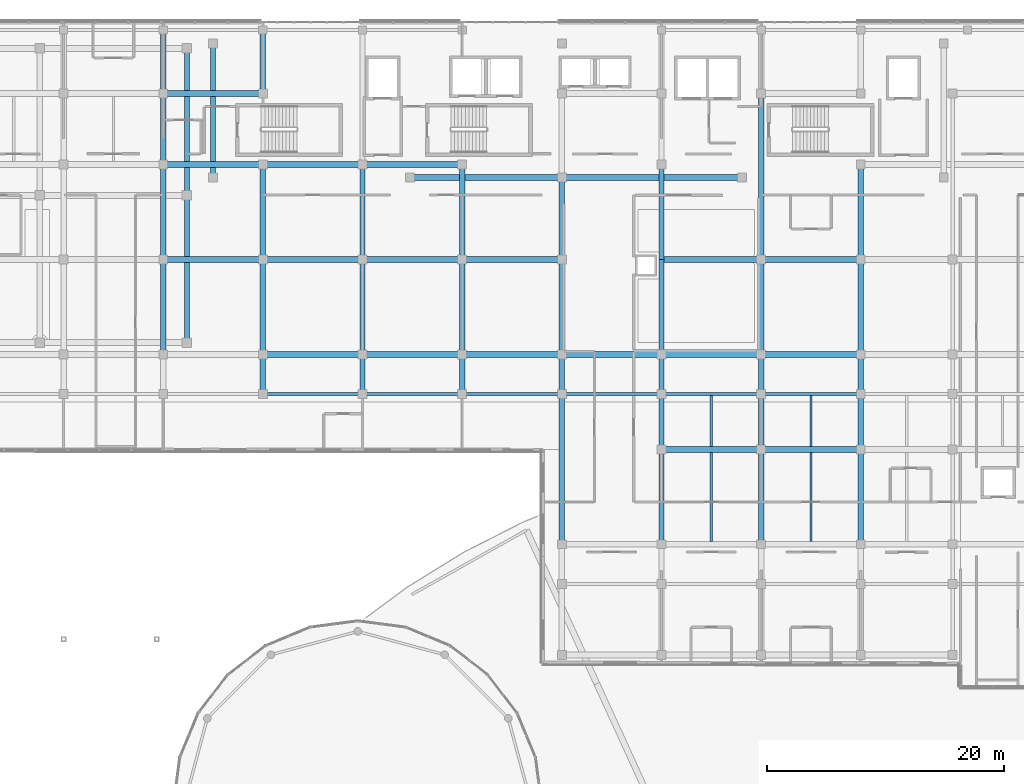
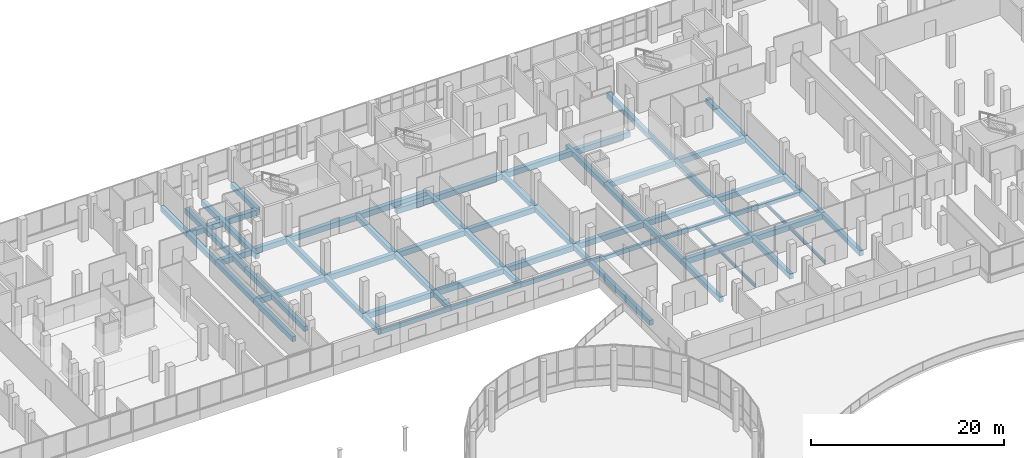
# One storey, part 45 of 101: 66 beams.
"""IFC4 building model written with IfcOpenShell, lengths in metres."""

from ifc_helpers import new_model, si_unit, direction, frame, origin, origin_2d, place, context, subcontext, project, spatial, rectangle, i_section, extrude, material, material_profile, profile_set, type_object, element, save


model = new_model("IFC4")

# Units and contexts
model_context = context("Model", 3, precision=1e-05, world=origin(), true_north=direction((0.0, 1.0)))
body_context = subcontext(model_context, "Body", "Model", "MODEL_VIEW")
ifc_project = project(units=[si_unit("LENGTHUNIT", "METRE"), si_unit("AREAUNIT", "SQUARE_METRE"), si_unit("VOLUMEUNIT", "CUBIC_METRE"), si_unit("PLANEANGLEUNIT", "RADIAN"), si_unit("MASSUNIT", "GRAM", prefix="KILO")], contexts=[model_context])

# Site, building, storey
site_placement = place(None, origin())
site = spatial("IfcSite", under=ifc_project, at=site_placement, CompositionType="ELEMENT")
building_placement = place(site_placement, origin())
building = spatial("IfcBuilding", under=site, at=building_placement, Name="Selatvlak General Hospital", CompositionType="ELEMENT")
storey_placement = place(building_placement, frame((0.0, 0.0, 19.199951171875)))
storey = spatial("IfcBuildingStorey", under=building, at=storey_placement, Name="L04", CompositionType="ELEMENT", Elevation=19.199951171875)

# Beams
ifc_material_1 = material(Name="Concrete C40/50", Category="concrete")
ifc_material_profile_1 = material_profile(ifc_material_1, rectangle(XDim=0.5, YDim=0.699951171875, at=origin_2d()), Name="RC-BM 500x700")
ifc_profile_set_1 = profile_set([ifc_material_profile_1], Name="Concrete C40/50")
beam_type_1 = type_object("IfcBeamType", Name="BM-G03", PredefinedType="BEAM", material=ifc_profile_set_1)
for number, where, z_axis, x_axis, name in (
    (1, (123.60009765625, 84.0, -0.655029296875), (1.0, 0.0, 0.0), (0.0, 1.0, 0.0), "Beam BMR-L04-1532"),
    (2, (132.0, 84.0, -0.655029296875), (1.0, 0.0, 0.0), (0.0, 1.0, 0.0), "Beam BMR-L04-1533"),
    (3, (90.0, 92.0, -0.655029296875), (1.0, 0.0, 0.0), (0.0, 1.0, 0.0), "Beam BMR-L04-1563"),
):
    element("IfcBeam", number, at=place(storey_placement, frame(where, z_axis=z_axis, x_axis=x_axis)), inside=storey, type_object=beam_type_1, Name=name, PredefinedType="BEAM", context=body_context, shape_type="SweptSolid", body=[
        extrude(rectangle(XDim=0.5, YDim=0.699951171875, at=origin_2d()), origin(), (0.0, 0.0, 1.0), 8.39990234375),
    ])
beam_1_placement = place(storey_placement, frame((98.39990234375, 92.0, -0.655029296875), z_axis=(1.0, 0.0, 0.0), x_axis=(0.0, 1.0, 0.0)))
element("IfcBeam", 4, at=beam_1_placement, inside=storey, type_object=beam_type_1, Name="Beam BMR-L04-1564", PredefinedType="BEAM", context=body_context, shape_type="SweptSolid", body=[
    extrude(rectangle(XDim=0.5, YDim=0.699951171875, at=origin_2d()), origin(), (0.0, 0.0, 1.0), 8.400146484375),
])
beam_2_placement = place(storey_placement, frame((106.800048828125, 92.0, -0.655029296875), z_axis=(1.0, 0.0, 0.0), x_axis=(0.0, 1.0, 0.0)))
element("IfcBeam", 5, at=beam_2_placement, inside=storey, type_object=beam_type_1, Name="Beam BMR-L04-1565", PredefinedType="BEAM", context=body_context, shape_type="SweptSolid", body=[
    extrude(rectangle(XDim=0.5, YDim=0.699951171875, at=origin_2d()), origin(), (0.0, 0.0, 1.0), 8.39990234375),
])
beam_3_placement = place(storey_placement, frame((115.199951171875, 92.0, -0.655029296875), z_axis=(1.0, 0.0, 0.0), x_axis=(0.0, 1.0, 0.0)))
element("IfcBeam", 6, at=beam_3_placement, inside=storey, type_object=beam_type_1, Name="Beam BMR-L04-1566", PredefinedType="BEAM", context=body_context, shape_type="SweptSolid", body=[
    extrude(rectangle(XDim=0.5, YDim=0.699951171875, at=origin_2d()), origin(), (0.0, 0.0, 1.0), 8.400146484375),
])
for number, where, z_axis, x_axis, name in (
    (7, (123.60009765625, 92.0, -0.655029296875), (1.0, 0.0, 0.0), (0.0, 1.0, 0.0), "Beam BMR-L04-1567"),
    (8, (132.0, 92.0, -0.655029296875), (1.0, 0.0, 0.0), (0.0, 1.0, 0.0), "Beam BMR-L04-1568"),
    (9, (81.60009765625, 100.0, -0.655029296875), (1.0, 0.0, 0.0), (0.0, 1.0, 0.0), "Beam BMR-L04-1584"),
    (10, (90.0, 100.0, -0.655029296875), (1.0, 0.0, 0.0), (0.0, 1.0, 0.0), "Beam BMR-L04-1585"),
):
    element("IfcBeam", number, at=place(storey_placement, frame(where, z_axis=z_axis, x_axis=x_axis)), inside=storey, type_object=beam_type_1, Name=name, PredefinedType="BEAM", context=body_context, shape_type="SweptSolid", body=[
        extrude(rectangle(XDim=0.5, YDim=0.699951171875, at=origin_2d()), origin(), (0.0, 0.0, 1.0), 8.39990234375),
    ])
beam_4_placement = place(storey_placement, frame((98.39990234375, 100.0, -0.655029296875), z_axis=(1.0, 0.0, 0.0), x_axis=(0.0, 1.0, 0.0)))
element("IfcBeam", 11, at=beam_4_placement, inside=storey, type_object=beam_type_1, Name="Beam BMR-L04-1586", PredefinedType="BEAM", context=body_context, shape_type="SweptSolid", body=[
    extrude(rectangle(XDim=0.5, YDim=0.699951171875, at=origin_2d()), origin(), (0.0, 0.0, 1.0), 8.400146484375),
])
for number, where, z_axis, x_axis, name in (
    (12, (106.800048828125, 100.0, -0.655029296875), (1.0, 0.0, 0.0), (0.0, 1.0, 0.0), "Beam BMR-L04-1587"),
    (13, (123.60009765625, 100.0, -0.655029296875), (1.0, 0.0, 0.0), (0.0, 1.0, 0.0), "Beam BMR-L04-1588"),
    (14, (132.0, 100.0, -0.655029296875), (1.0, 0.0, 0.0), (0.0, 1.0, 0.0), "Beam BMR-L04-1589"),
):
    element("IfcBeam", number, at=place(storey_placement, frame(where, z_axis=z_axis, x_axis=x_axis)), inside=storey, type_object=beam_type_1, Name=name, PredefinedType="BEAM", context=body_context, shape_type="SweptSolid", body=[
        extrude(rectangle(XDim=0.5, YDim=0.699951171875, at=origin_2d()), origin(), (0.0, 0.0, 1.0), 8.39990234375),
    ])
beam_5_placement = place(storey_placement, frame((102.39990234375, 106.89990234375, -0.655029296875), z_axis=(1.0, 0.0, 0.0), x_axis=(0.0, 1.0, 0.0)))
element("IfcBeam", 15, at=beam_5_placement, inside=storey, type_object=beam_type_1, Name="Beam BMR-L04-1598", PredefinedType="BEAM", context=body_context, shape_type="SweptSolid", body=[
    extrude(rectangle(XDim=0.5, YDim=0.699951171875, at=origin_2d()), origin(), (0.0, 0.0, 1.0), 12.800048828125),
])
beam_6_placement = place(storey_placement, frame((115.199951171875, 106.89990234375, -0.655029296875), z_axis=(1.0, 0.0, 0.0), x_axis=(0.0, 1.0, 0.0)))
element("IfcBeam", 16, at=beam_6_placement, inside=storey, type_object=beam_type_1, Name="Beam BMR-L04-1599", PredefinedType="BEAM", context=body_context, shape_type="SweptSolid", body=[
    extrude(rectangle(XDim=0.5, YDim=0.699951171875, at=origin_2d()), origin(), (0.0, 0.0, 1.0), 15.199951171875),
])
for number, where, z_axis, x_axis, name in (
    (17, (81.60009765625, 108.0, -0.655029296875), (1.0, 0.0, 0.0), (0.0, 1.0, 0.0), "Beam BMR-L04-1606"),
    (18, (90.0, 108.0, -0.655029296875), (1.0, 0.0, 0.0), (0.0, 1.0, 0.0), "Beam BMR-L04-1607"),
):
    element("IfcBeam", number, at=place(storey_placement, frame(where, z_axis=z_axis, x_axis=x_axis)), inside=storey, type_object=beam_type_1, Name=name, PredefinedType="BEAM", context=body_context, shape_type="SweptSolid", body=[
        extrude(rectangle(XDim=0.5, YDim=0.699951171875, at=origin_2d()), origin(), (0.0, 0.0, 1.0), 8.39990234375),
    ])
beam_7_placement = place(storey_placement, frame((98.39990234375, 108.0, -0.655029296875), z_axis=(1.0, 0.0, 0.0), x_axis=(0.0, 1.0, 0.0)))
element("IfcBeam", 19, at=beam_7_placement, inside=storey, type_object=beam_type_1, Name="Beam BMR-L04-1608", PredefinedType="BEAM", context=body_context, shape_type="SweptSolid", body=[
    extrude(rectangle(XDim=0.5, YDim=0.699951171875, at=origin_2d()), origin(), (0.0, 0.0, 1.0), 8.400146484375),
])
beam_8_placement = place(storey_placement, frame((81.60009765625, 114.0, -0.655029296875), z_axis=(1.0, 0.0, 0.0), x_axis=(0.0, 1.0, 0.0)))
element("IfcBeam", 20, at=beam_8_placement, inside=storey, type_object=beam_type_1, Name="Beam BMR-L04-1620", PredefinedType="BEAM", context=body_context, shape_type="SweptSolid", body=[
    extrude(rectangle(XDim=0.5, YDim=0.699951171875, at=origin_2d()), origin(), (0.0, 0.0, 1.0), 8.39990234375),
])
ifc_material_profile_2 = material_profile(ifc_material_1, rectangle(XDim=0.449951171875, YDim=0.64990234375, at=origin_2d()), Name="RC-BM 450x650")
ifc_profile_set_2 = profile_set([ifc_material_profile_2], Name="Concrete C40/50")
beam_type_2 = type_object("IfcBeamType", Name="BM-G04", PredefinedType="BEAM", material=ifc_profile_set_2)
for number, where, z_axis, x_axis, name in (
    (21, (81.60009765625, 92.0, -0.6298828125), (0.0, 1.0, 0.0), (-1.0, 0.0, 0.0), "Beam BMR-L04-1681"),
    (22, (81.60009765625, 100.0, -0.6298828125), (0.0, 1.0, 0.0), (-1.0, 0.0, 0.0), "Beam BMR-L04-1682"),
):
    element("IfcBeam", number, at=place(storey_placement, frame(where, z_axis=z_axis, x_axis=x_axis)), inside=storey, type_object=beam_type_2, Name=name, PredefinedType="BEAM", context=body_context, shape_type="SweptSolid", body=[
        extrude(rectangle(XDim=0.449951171875, YDim=0.64990234375, at=origin_2d()), origin(), (0.0, 0.0, 1.0), 8.0),
    ])
beam_9_placement = place(storey_placement, frame((81.60009765625, 108.0, -0.6298828125), z_axis=(0.0, 1.0, 0.0), x_axis=(-1.0, 0.0, 0.0)))
element("IfcBeam", 23, at=beam_9_placement, inside=storey, type_object=beam_type_2, Name="Beam BMR-L04-1683", PredefinedType="BEAM", context=body_context, shape_type="SweptSolid", body=[
    extrude(rectangle(XDim=0.449951171875, YDim=0.64990234375, at=origin_2d()), origin(), (0.0, 0.0, 1.0), 6.0),
])
beam_10_placement = place(storey_placement, frame((81.60009765625, 114.0, -0.6298828125), z_axis=(0.0, 1.0, 0.0), x_axis=(-1.0, 0.0, 0.0)))
element("IfcBeam", 24, at=beam_10_placement, inside=storey, type_object=beam_type_2, Name="Beam BMR-L04-1684", PredefinedType="BEAM", context=body_context, shape_type="SweptSolid", body=[
    extrude(rectangle(XDim=0.449951171875, YDim=0.64990234375, at=origin_2d()), origin(), (0.0, 0.0, 1.0), 5.35009765625),
])
beam_11_placement = place(storey_placement, frame((83.60009765625, 93.0, -0.6298828125), z_axis=(0.0, 1.0, 0.0), x_axis=(-1.0, 0.0, 0.0)))
element("IfcBeam", 25, at=beam_11_placement, inside=storey, type_object=beam_type_2, Name="Beam BMR-L04-1685", PredefinedType="BEAM", context=body_context, shape_type="SweptSolid", body=[
    extrude(rectangle(XDim=0.449951171875, YDim=0.64990234375, at=origin_2d()), origin(), (0.0, 0.0, 1.0), 12.39990234375),
])
beam_12_placement = place(storey_placement, frame((83.60009765625, 105.39990234375, -0.6298828125), z_axis=(0.0, 1.0, 0.0), x_axis=(-1.0, 0.0, 0.0)))
element("IfcBeam", 26, at=beam_12_placement, inside=storey, type_object=beam_type_2, Name="Beam BMR-L04-1686", PredefinedType="BEAM", context=body_context, shape_type="SweptSolid", body=[
    extrude(rectangle(XDim=0.449951171875, YDim=0.64990234375, at=origin_2d()), origin(), (0.0, 0.0, 1.0), 12.400146484375),
])
beam_13_placement = place(storey_placement, frame((85.800048828125, 106.89990234375, -0.6298828125), z_axis=(0.0, 1.0, 0.0), x_axis=(-1.0, 0.0, 0.0)))
element("IfcBeam", 27, at=beam_13_placement, inside=storey, type_object=beam_type_2, Name="Beam BMR-L04-1687", PredefinedType="BEAM", context=body_context, shape_type="SweptSolid", body=[
    extrude(rectangle(XDim=0.449951171875, YDim=0.64990234375, at=origin_2d()), origin(), (0.0, 0.0, 1.0), 11.300048828125),
])
beam_14_placement = place(storey_placement, frame((90.0, 88.64990234375, -0.6298828125), z_axis=(0.0, 1.0, 0.0), x_axis=(-1.0, 0.0, 0.0)))
element("IfcBeam", 28, at=beam_14_placement, inside=storey, type_object=beam_type_2, Name="Beam BMR-L04-1688", PredefinedType="BEAM", context=body_context, shape_type="SweptSolid", body=[
    extrude(rectangle(XDim=0.449951171875, YDim=0.64990234375, at=origin_2d()), origin(), (0.0, 0.0, 1.0), 3.35009765625),
])
for number, where, z_axis, x_axis, name in (
    (29, (90.0, 92.0, -0.6298828125), (0.0, 1.0, 0.0), (-1.0, 0.0, 0.0), "Beam BMR-L04-1689"),
    (30, (90.0, 100.0, -0.6298828125), (0.0, 1.0, 0.0), (-1.0, 0.0, 0.0), "Beam BMR-L04-1690"),
):
    element("IfcBeam", number, at=place(storey_placement, frame(where, z_axis=z_axis, x_axis=x_axis)), inside=storey, type_object=beam_type_2, Name=name, PredefinedType="BEAM", context=body_context, shape_type="SweptSolid", body=[
        extrude(rectangle(XDim=0.449951171875, YDim=0.64990234375, at=origin_2d()), origin(), (0.0, 0.0, 1.0), 8.0),
    ])
beam_15_placement = place(storey_placement, frame((90.0, 114.0, -0.6298828125), z_axis=(0.0, 1.0, 0.0), x_axis=(-1.0, 0.0, 0.0)))
element("IfcBeam", 31, at=beam_15_placement, inside=storey, type_object=beam_type_2, Name="Beam BMR-L04-1691", PredefinedType="BEAM", context=body_context, shape_type="SweptSolid", body=[
    extrude(rectangle(XDim=0.449951171875, YDim=0.64990234375, at=origin_2d()), origin(), (0.0, 0.0, 1.0), 5.35009765625),
])
beam_16_placement = place(storey_placement, frame((98.39990234375, 88.64990234375, -0.6298828125), z_axis=(0.0, 1.0, 0.0), x_axis=(-1.0, 0.0, 0.0)))
element("IfcBeam", 32, at=beam_16_placement, inside=storey, type_object=beam_type_2, Name="Beam BMR-L04-1692", PredefinedType="BEAM", context=body_context, shape_type="SweptSolid", body=[
    extrude(rectangle(XDim=0.449951171875, YDim=0.64990234375, at=origin_2d()), origin(), (0.0, 0.0, 1.0), 3.35009765625),
])
for number, where, z_axis, x_axis, name in (
    (33, (98.39990234375, 92.0, -0.6298828125), (0.0, 1.0, 0.0), (-1.0, 0.0, 0.0), "Beam BMR-L04-1693"),
    (34, (98.39990234375, 100.0, -0.6298828125), (0.0, 1.0, 0.0), (-1.0, 0.0, 0.0), "Beam BMR-L04-1694"),
):
    element("IfcBeam", number, at=place(storey_placement, frame(where, z_axis=z_axis, x_axis=x_axis)), inside=storey, type_object=beam_type_2, Name=name, PredefinedType="BEAM", context=body_context, shape_type="SweptSolid", body=[
        extrude(rectangle(XDim=0.449951171875, YDim=0.64990234375, at=origin_2d()), origin(), (0.0, 0.0, 1.0), 8.0),
    ])
beam_17_placement = place(storey_placement, frame((106.800048828125, 88.64990234375, -0.6298828125), z_axis=(0.0, 1.0, 0.0), x_axis=(-1.0, 0.0, 0.0)))
element("IfcBeam", 35, at=beam_17_placement, inside=storey, type_object=beam_type_2, Name="Beam BMR-L04-1696", PredefinedType="BEAM", context=body_context, shape_type="SweptSolid", body=[
    extrude(rectangle(XDim=0.449951171875, YDim=0.64990234375, at=origin_2d()), origin(), (0.0, 0.0, 1.0), 3.35009765625),
])
for number, where, z_axis, x_axis, name in (
    (36, (106.800048828125, 92.0, -0.6298828125), (0.0, 1.0, 0.0), (-1.0, 0.0, 0.0), "Beam BMR-L04-1697"),
    (37, (106.800048828125, 100.0, -0.6298828125), (0.0, 1.0, 0.0), (-1.0, 0.0, 0.0), "Beam BMR-L04-1698"),
):
    element("IfcBeam", number, at=place(storey_placement, frame(where, z_axis=z_axis, x_axis=x_axis)), inside=storey, type_object=beam_type_2, Name=name, PredefinedType="BEAM", context=body_context, shape_type="SweptSolid", body=[
        extrude(rectangle(XDim=0.449951171875, YDim=0.64990234375, at=origin_2d()), origin(), (0.0, 0.0, 1.0), 8.0),
    ])
beam_18_placement = place(storey_placement, frame((115.199951171875, 76.0, -0.6298828125), z_axis=(0.0, 1.0, 0.0), x_axis=(-1.0, 0.0, 0.0)))
element("IfcBeam", 38, at=beam_18_placement, inside=storey, type_object=beam_type_2, Name="Beam BMR-L04-1701", PredefinedType="BEAM", context=body_context, shape_type="SweptSolid", body=[
    extrude(rectangle(XDim=0.449951171875, YDim=0.64990234375, at=origin_2d()), origin(), (0.0, 0.0, 1.0), 12.64990234375),
])
beam_19_placement = place(storey_placement, frame((115.199951171875, 88.64990234375, -0.6298828125), z_axis=(0.0, 1.0, 0.0), x_axis=(-1.0, 0.0, 0.0)))
element("IfcBeam", 39, at=beam_19_placement, inside=storey, type_object=beam_type_2, Name="Beam BMR-L04-1702", PredefinedType="BEAM", context=body_context, shape_type="SweptSolid", body=[
    extrude(rectangle(XDim=0.449951171875, YDim=0.64990234375, at=origin_2d()), origin(), (0.0, 0.0, 1.0), 3.35009765625),
])
beam_20_placement = place(storey_placement, frame((115.199951171875, 92.0, -0.6298828125), z_axis=(0.0, 1.0, 0.0), x_axis=(-1.0, 0.0, 0.0)))
element("IfcBeam", 40, at=beam_20_placement, inside=storey, type_object=beam_type_2, Name="Beam BMR-L04-1703", PredefinedType="BEAM", context=body_context, shape_type="SweptSolid", body=[
    extrude(rectangle(XDim=0.449951171875, YDim=0.64990234375, at=origin_2d()), origin(), (0.0, 0.0, 1.0), 8.0),
])
beam_21_placement = place(storey_placement, frame((115.199951171875, 100.0, -0.6298828125), z_axis=(0.0, 1.0, 0.0), x_axis=(-1.0, 0.0, 0.0)))
element("IfcBeam", 41, at=beam_21_placement, inside=storey, type_object=beam_type_2, Name="Beam BMR-L04-1704", PredefinedType="BEAM", context=body_context, shape_type="SweptSolid", body=[
    extrude(rectangle(XDim=0.449951171875, YDim=0.64990234375, at=origin_2d()), origin(), (0.0, 0.0, 1.0), 6.89990234375),
])
beam_22_placement = place(storey_placement, frame((123.60009765625, 76.0, -0.6298828125), z_axis=(0.0, 1.0, 0.0), x_axis=(-1.0, 0.0, 0.0)))
element("IfcBeam", 42, at=beam_22_placement, inside=storey, type_object=beam_type_2, Name="Beam BMR-L04-1708", PredefinedType="BEAM", context=body_context, shape_type="SweptSolid", body=[
    extrude(rectangle(XDim=0.449951171875, YDim=0.64990234375, at=origin_2d()), origin(), (0.0, 0.0, 1.0), 8.0),
])
beam_23_placement = place(storey_placement, frame((123.60009765625, 84.0, -0.6298828125), z_axis=(0.0, 1.0, 0.0), x_axis=(-1.0, 0.0, 0.0)))
element("IfcBeam", 43, at=beam_23_placement, inside=storey, type_object=beam_type_2, Name="Beam BMR-L04-1709", PredefinedType="BEAM", context=body_context, shape_type="SweptSolid", body=[
    extrude(rectangle(XDim=0.449951171875, YDim=0.64990234375, at=origin_2d()), origin(), (0.0, 0.0, 1.0), 4.64990234375),
])
beam_24_placement = place(storey_placement, frame((123.60009765625, 88.64990234375, -0.6298828125), z_axis=(0.0, 1.0, 0.0), x_axis=(-1.0, 0.0, 0.0)))
element("IfcBeam", 44, at=beam_24_placement, inside=storey, type_object=beam_type_2, Name="Beam BMR-L04-1710", PredefinedType="BEAM", context=body_context, shape_type="SweptSolid", body=[
    extrude(rectangle(XDim=0.449951171875, YDim=0.64990234375, at=origin_2d()), origin(), (0.0, 0.0, 1.0), 3.35009765625),
])
for number, where, z_axis, x_axis, name in (
    (45, (123.60009765625, 92.0, -0.6298828125), (0.0, 1.0, 0.0), (-1.0, 0.0, 0.0), "Beam BMR-L04-1711"),
    (46, (123.60009765625, 100.0, -0.6298828125), (0.0, 1.0, 0.0), (-1.0, 0.0, 0.0), "Beam BMR-L04-1712"),
    (47, (132.0, 76.0, -0.6298828125), (0.0, 1.0, 0.0), (-1.0, 0.0, 0.0), "Beam BMR-L04-1717"),
):
    element("IfcBeam", number, at=place(storey_placement, frame(where, z_axis=z_axis, x_axis=x_axis)), inside=storey, type_object=beam_type_2, Name=name, PredefinedType="BEAM", context=body_context, shape_type="SweptSolid", body=[
        extrude(rectangle(XDim=0.449951171875, YDim=0.64990234375, at=origin_2d()), origin(), (0.0, 0.0, 1.0), 8.0),
    ])
beam_25_placement = place(storey_placement, frame((132.0, 84.0, -0.6298828125), z_axis=(0.0, 1.0, 0.0), x_axis=(-1.0, 0.0, 0.0)))
element("IfcBeam", 48, at=beam_25_placement, inside=storey, type_object=beam_type_2, Name="Beam BMR-L04-1718", PredefinedType="BEAM", context=body_context, shape_type="SweptSolid", body=[
    extrude(rectangle(XDim=0.449951171875, YDim=0.64990234375, at=origin_2d()), origin(), (0.0, 0.0, 1.0), 4.64990234375),
])
beam_26_placement = place(storey_placement, frame((132.0, 88.64990234375, -0.6298828125), z_axis=(0.0, 1.0, 0.0), x_axis=(-1.0, 0.0, 0.0)))
element("IfcBeam", 49, at=beam_26_placement, inside=storey, type_object=beam_type_2, Name="Beam BMR-L04-1719", PredefinedType="BEAM", context=body_context, shape_type="SweptSolid", body=[
    extrude(rectangle(XDim=0.449951171875, YDim=0.64990234375, at=origin_2d()), origin(), (0.0, 0.0, 1.0), 3.35009765625),
])
beam_27_placement = place(storey_placement, frame((132.0, 92.0, -0.6298828125), z_axis=(0.0, 1.0, 0.0), x_axis=(-1.0, 0.0, 0.0)))
element("IfcBeam", 50, at=beam_27_placement, inside=storey, type_object=beam_type_2, Name="Beam BMR-L04-1720", PredefinedType="BEAM", context=body_context, shape_type="SweptSolid", body=[
    extrude(rectangle(XDim=0.449951171875, YDim=0.64990234375, at=origin_2d()), origin(), (0.0, 0.0, 1.0), 8.0),
])
beam_28_placement = place(storey_placement, frame((132.0, 100.0, -0.6298828125), z_axis=(0.0, 1.0, 0.0), x_axis=(-1.0, 0.0, 0.0)))
element("IfcBeam", 51, at=beam_28_placement, inside=storey, type_object=beam_type_2, Name="Beam BMR-L04-1721", PredefinedType="BEAM", context=body_context, shape_type="SweptSolid", body=[
    extrude(rectangle(XDim=0.449951171875, YDim=0.64990234375, at=origin_2d()), origin(), (0.0, 0.0, 1.0), 14.0),
])
beam_29_placement = place(storey_placement, frame((140.39990234375, 76.0, -0.6298828125), z_axis=(0.0, 1.0, 0.0), x_axis=(-1.0, 0.0, 0.0)))
element("IfcBeam", 52, at=beam_29_placement, inside=storey, type_object=beam_type_2, Name="Beam BMR-L04-1725", PredefinedType="BEAM", context=body_context, shape_type="SweptSolid", body=[
    extrude(rectangle(XDim=0.449951171875, YDim=0.64990234375, at=origin_2d()), origin(), (0.0, 0.0, 1.0), 8.0),
])
beam_30_placement = place(storey_placement, frame((140.39990234375, 84.0, -0.6298828125), z_axis=(0.0, 1.0, 0.0), x_axis=(-1.0, 0.0, 0.0)))
element("IfcBeam", 53, at=beam_30_placement, inside=storey, type_object=beam_type_2, Name="Beam BMR-L04-1726", PredefinedType="BEAM", context=body_context, shape_type="SweptSolid", body=[
    extrude(rectangle(XDim=0.449951171875, YDim=0.64990234375, at=origin_2d()), origin(), (0.0, 0.0, 1.0), 4.64990234375),
])
beam_31_placement = place(storey_placement, frame((140.39990234375, 88.64990234375, -0.6298828125), z_axis=(0.0, 1.0, 0.0), x_axis=(-1.0, 0.0, 0.0)))
element("IfcBeam", 54, at=beam_31_placement, inside=storey, type_object=beam_type_2, Name="Beam BMR-L04-1727", PredefinedType="BEAM", context=body_context, shape_type="SweptSolid", body=[
    extrude(rectangle(XDim=0.449951171875, YDim=0.64990234375, at=origin_2d()), origin(), (0.0, 0.0, 1.0), 3.35009765625),
])
for number, where, z_axis, x_axis, name in (
    (55, (140.39990234375, 92.0, -0.6298828125), (0.0, 1.0, 0.0), (-1.0, 0.0, 0.0), "Beam BMR-L04-1728"),
    (56, (140.39990234375, 100.0, -0.6298828125), (0.0, 1.0, 0.0), (-1.0, 0.0, 0.0), "Beam BMR-L04-1729"),
):
    element("IfcBeam", number, at=place(storey_placement, frame(where, z_axis=z_axis, x_axis=x_axis)), inside=storey, type_object=beam_type_2, Name=name, PredefinedType="BEAM", context=body_context, shape_type="SweptSolid", body=[
        extrude(rectangle(XDim=0.449951171875, YDim=0.64990234375, at=origin_2d()), origin(), (0.0, 0.0, 1.0), 8.0),
    ])
ifc_material_2 = material(Name="Steel S355", Category="steel")
ifc_material_profile_3 = material_profile(ifc_material_2, i_section(OverallWidth=0.177978515625, OverallDepth=0.406494140625, WebThickness=0.0078125, FlangeThickness=0.0126953125, at=origin_2d()), Name="UB 406x178x60")
ifc_profile_set_3 = profile_set([ifc_material_profile_3], Name="Steel S355")
beam_type_3 = type_object("IfcBeamType", Name="BM-J04", PredefinedType="JOIST", material=ifc_profile_set_3)
for number, where, z_axis, x_axis, name in (
    (57, (127.800048828125, 76.25, -0.508056640625), (0.0, 1.0, 0.0), (-1.0, 0.0, 0.0), "Beam BMR-L04-1779"),
    (58, (136.199951171875, 76.25, -0.508056640625), (0.0, 1.0, 0.0), (-1.0, 0.0, 0.0), "Beam BMR-L04-1780"),
):
    element("IfcBeam", number, at=place(storey_placement, frame(where, z_axis=z_axis, x_axis=x_axis)), inside=storey, type_object=beam_type_3, Name=name, PredefinedType="JOIST", context=body_context, shape_type="SweptSolid", body=[
        extrude(i_section(OverallWidth=0.177978515625, OverallDepth=0.406494140625, WebThickness=0.0078125, FlangeThickness=0.0126953125, at=origin_2d()), origin(), (0.0, 0.0, 1.0), 7.5),
    ])
for number, where, z_axis, x_axis, name in (
    (59, (127.800048828125, 84.25, -0.508056640625), (0.0, 1.0, 0.0), (-1.0, 0.0, 0.0), "Beam BMR-L04-1783"),
    (60, (136.199951171875, 84.25, -0.508056640625), (0.0, 1.0, 0.0), (-1.0, 0.0, 0.0), "Beam BMR-L04-1784"),
):
    element("IfcBeam", number, at=place(storey_placement, frame(where, z_axis=z_axis, x_axis=x_axis)), inside=storey, type_object=beam_type_3, Name=name, PredefinedType="JOIST", context=body_context, shape_type="SweptSolid", body=[
        extrude(i_section(OverallWidth=0.177978515625, OverallDepth=0.406494140625, WebThickness=0.0078125, FlangeThickness=0.0126953125, at=origin_2d()), origin(), (0.0, 0.0, 1.0), 4.27490234375),
    ])
ifc_material_profile_4 = material_profile(ifc_material_1, rectangle(XDim=0.25, YDim=0.550048828125, at=origin_2d()), Name="RC-SP 250x550")
ifc_profile_set_4 = profile_set([ifc_material_profile_4], Name="Concrete C40/50")
beam_type_4 = type_object("IfcBeamType", Name="BM-SP2", PredefinedType="SPANDREL", material=ifc_profile_set_4)
beam_32_placement = place(storey_placement, frame((90.0, 88.64990234375, -0.579833984375), z_axis=(1.0, 0.0, 0.0), x_axis=(0.0, 1.0, 0.0)))
element("IfcBeam", 61, at=beam_32_placement, inside=storey, type_object=beam_type_4, Name="Beam BMR-L04-1543", PredefinedType="SPANDREL", context=body_context, shape_type="SweptSolid", body=[
    extrude(rectangle(XDim=0.25, YDim=0.550048828125, at=origin_2d()), origin(), (0.0, 0.0, 1.0), 8.39990234375),
])
beam_33_placement = place(storey_placement, frame((98.39990234375, 88.64990234375, -0.579833984375), z_axis=(1.0, 0.0, 0.0), x_axis=(0.0, 1.0, 0.0)))
element("IfcBeam", 62, at=beam_33_placement, inside=storey, type_object=beam_type_4, Name="Beam BMR-L04-1544", PredefinedType="SPANDREL", context=body_context, shape_type="SweptSolid", body=[
    extrude(rectangle(XDim=0.25, YDim=0.550048828125, at=origin_2d()), origin(), (0.0, 0.0, 1.0), 8.400146484375),
])
beam_34_placement = place(storey_placement, frame((106.800048828125, 88.64990234375, -0.579833984375), z_axis=(1.0, 0.0, 0.0), x_axis=(0.0, 1.0, 0.0)))
element("IfcBeam", 63, at=beam_34_placement, inside=storey, type_object=beam_type_4, Name="Beam BMR-L04-1545", PredefinedType="SPANDREL", context=body_context, shape_type="SweptSolid", body=[
    extrude(rectangle(XDim=0.25, YDim=0.550048828125, at=origin_2d()), origin(), (0.0, 0.0, 1.0), 8.39990234375),
])
beam_35_placement = place(storey_placement, frame((115.199951171875, 88.64990234375, -0.579833984375), z_axis=(1.0, 0.0, 0.0), x_axis=(0.0, 1.0, 0.0)))
element("IfcBeam", 64, at=beam_35_placement, inside=storey, type_object=beam_type_4, Name="Beam BMR-L04-1546", PredefinedType="SPANDREL", context=body_context, shape_type="SweptSolid", body=[
    extrude(rectangle(XDim=0.25, YDim=0.550048828125, at=origin_2d()), origin(), (0.0, 0.0, 1.0), 8.400146484375),
])
for number, where, z_axis, x_axis, name in (
    (65, (123.60009765625, 88.64990234375, -0.579833984375), (1.0, 0.0, 0.0), (0.0, 1.0, 0.0), "Beam BMR-L04-1547"),
    (66, (132.0, 88.64990234375, -0.579833984375), (1.0, 0.0, 0.0), (0.0, 1.0, 0.0), "Beam BMR-L04-1548"),
):
    element("IfcBeam", number, at=place(storey_placement, frame(where, z_axis=z_axis, x_axis=x_axis)), inside=storey, type_object=beam_type_4, Name=name, PredefinedType="SPANDREL", context=body_context, shape_type="SweptSolid", body=[
        extrude(rectangle(XDim=0.25, YDim=0.550048828125, at=origin_2d()), origin(), (0.0, 0.0, 1.0), 8.39990234375),
    ])

save(model, "model.ifc")
